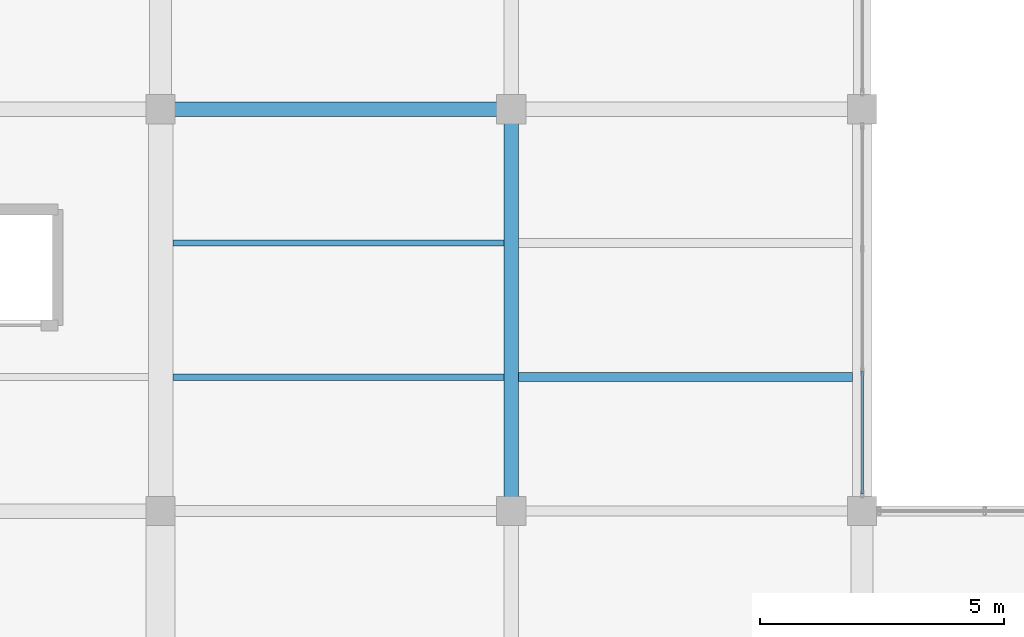
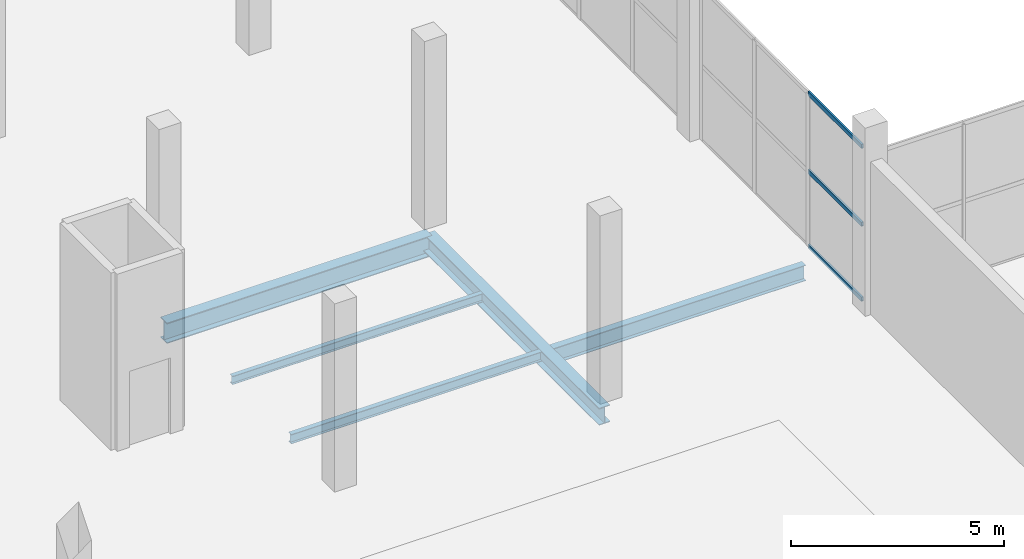
# One storey, part 51 of 141: 5 beams, 3 members, 1 element without a shape of its own.
"""IFC4 building model written with IfcOpenShell, lengths in metres."""

from ifc_helpers import new_model, si_unit, direction, frame, origin, origin_2d, place, context, subcontext, project, spatial, hollow_rectangle, i_section, extrude, material, layer, layer_set, material_profile, profile_set, type_object, element, aggregate, save


model = new_model("IFC4")

# Units and contexts
model_context = context("Model", 3, precision=1e-05, world=origin(), true_north=direction((0.0, 1.0)))
body_context = subcontext(model_context, "Body", "Model", "MODEL_VIEW")
ifc_project = project(units=[si_unit("LENGTHUNIT", "METRE"), si_unit("AREAUNIT", "SQUARE_METRE"), si_unit("VOLUMEUNIT", "CUBIC_METRE"), si_unit("PLANEANGLEUNIT", "RADIAN"), si_unit("MASSUNIT", "GRAM", prefix="KILO")], contexts=[model_context])

# Site, building, storey
site_placement = place(None, origin())
site = spatial("IfcSite", under=ifc_project, at=site_placement, CompositionType="ELEMENT")
building_placement = place(site_placement, origin())
building = spatial("IfcBuilding", under=site, at=building_placement, Name="Sundgate Opera House", CompositionType="ELEMENT")
storey_placement = place(building_placement, frame((0.0, 0.0, 11.39990234375)))
storey = spatial("IfcBuildingStorey", under=building, at=storey_placement, Name="L02", CompositionType="ELEMENT", Elevation=11.39990234375)

# Beams
ifc_material_1 = material(Name="Steel S355J2", Category="steel")
ifc_material_profile_1 = material_profile(ifc_material_1, i_section(OverallWidth=0.300048828125, OverallDepth=0.489990234375, WebThickness=0.011962890625, FlangeThickness=0.02294921875, at=origin_2d()), Name="HEA 500")
ifc_profile_set_1 = profile_set([ifc_material_profile_1], Name="Steel S355J2")
beam_type_1 = type_object("IfcBeamType", Name="BM-GR-HEA500", PredefinedType="BEAM", material=ifc_profile_set_1)
beam_1_placement = place(storey_placement, frame((117.0, 87.0, -0.594970703125), z_axis=(0.0, 1.0, 0.0), x_axis=(-1.0, 0.0, 0.0)))
element("IfcBeam", 1, at=beam_1_placement, inside=storey, type_object=beam_type_1, Name="L02 Primary N-S Girder B1888", PredefinedType="BEAM", context=body_context, shape_type="SweptSolid", body=[
    extrude(i_section(OverallWidth=0.300048828125, OverallDepth=0.489990234375, WebThickness=0.011962890625, FlangeThickness=0.02294921875, at=origin_2d()), origin(), (0.0, 0.0, 1.0), 8.25),
])
ifc_material_2 = material(Name="Steel S355J2", Category="steel")
ifc_material_profile_2 = material_profile(ifc_material_2, i_section(OverallWidth=0.300048828125, OverallDepth=0.590087890625, WebThickness=0.012939453125, FlangeThickness=0.02490234375, at=origin_2d()), Name="HEA 600")
ifc_profile_set_2 = profile_set([ifc_material_profile_2], Name="Steel S355J2")
beam_type_2 = type_object("IfcBeamType", Name="BM-GR-HEA600", PredefinedType="BEAM", material=ifc_profile_set_2)
beam_2_placement = place(storey_placement, frame((109.800048828125, 95.25, -0.64501953125), z_axis=(1.0, 0.0, 0.0), x_axis=(0.0, 1.0, 0.0)))
element("IfcBeam", 2, at=beam_2_placement, inside=storey, type_object=beam_type_2, Name="L02 Primary E-W Girder B2077", PredefinedType="BEAM", context=body_context, shape_type="SweptSolid", body=[
    extrude(i_section(OverallWidth=0.300048828125, OverallDepth=0.590087890625, WebThickness=0.012939453125, FlangeThickness=0.02490234375, at=origin_2d()), origin(), (0.0, 0.0, 1.0), 7.199951171875),
])
ifc_material_3 = material(Name="Steel S355J2", Category="steel")
ifc_material_profile_3 = material_profile(ifc_material_3, i_section(OverallWidth=0.1201171875, OverallDepth=0.239990234375, WebThickness=0.006103515625, FlangeThickness=0.009765625, at=origin_2d()), Name="IPE 240")
ifc_profile_set_3 = profile_set([ifc_material_profile_3], Name="Steel S355J2")
beam_type_3 = type_object("IfcBeamType", Name="BM-JS-IPE240", PredefinedType="JOIST", material=ifc_profile_set_3)
beam_3_placement = place(storey_placement, frame((110.050048828125, 92.5, -0.469970703125), z_axis=(1.0, 0.0, 0.0), x_axis=(0.0, 1.0, 0.0)))
element("IfcBeam", 3, at=beam_3_placement, inside=storey, type_object=beam_type_3, Name="L02 Secondary Floor Joist B2352", PredefinedType="JOIST", context=body_context, shape_type="SweptSolid", body=[
    extrude(i_section(OverallWidth=0.1201171875, OverallDepth=0.239990234375, WebThickness=0.006103515625, FlangeThickness=0.009765625, at=origin_2d()), origin(), (0.0, 0.0, 1.0), 6.800048828125),
])
ifc_material_4 = material(Name="Steel S355J2", Category="steel")
ifc_material_profile_4 = material_profile(ifc_material_4, i_section(OverallWidth=0.135009765625, OverallDepth=0.27001953125, WebThickness=0.006591796875, FlangeThickness=0.01025390625, at=origin_2d()), Name="IPE 270")
ifc_profile_set_4 = profile_set([ifc_material_profile_4], Name="Steel S355J2")
beam_type_4 = type_object("IfcBeamType", Name="BM-JS-IPE270", PredefinedType="JOIST", material=ifc_profile_set_4)
beam_4_placement = place(storey_placement, frame((110.050048828125, 89.75, -0.48486328125), z_axis=(1.0, 0.0, 0.0), x_axis=(0.0, 1.0, 0.0)))
element("IfcBeam", 4, at=beam_4_placement, inside=storey, type_object=beam_type_4, Name="L02 Secondary Floor Joist B2351", PredefinedType="JOIST", context=body_context, shape_type="SweptSolid", body=[
    extrude(i_section(OverallWidth=0.135009765625, OverallDepth=0.27001953125, WebThickness=0.006591796875, FlangeThickness=0.01025390625, at=origin_2d()), origin(), (0.0, 0.0, 1.0), 6.800048828125),
])
ifc_material_5 = material(Name="Steel S355J2", Category="steel")
ifc_material_profile_5 = material_profile(ifc_material_5, i_section(OverallWidth=0.18994140625, OverallDepth=0.449951171875, WebThickness=0.009521484375, FlangeThickness=0.0146484375, at=origin_2d()), Name="IPE 450")
ifc_profile_set_5 = profile_set([ifc_material_profile_5], Name="Steel S355J2")
beam_type_5 = type_object("IfcBeamType", Name="BM-JS-IPE450", PredefinedType="JOIST", material=ifc_profile_set_5)
beam_5_placement = place(storey_placement, frame((117.14990234375, 89.75, -0.574951171875), z_axis=(1.0, 0.0, 0.0), x_axis=(0.0, 1.0, 0.0)))
element("IfcBeam", 5, at=beam_5_placement, inside=storey, type_object=beam_type_5, Name="L02 Secondary Floor Joist B2353", PredefinedType="JOIST", context=body_context, shape_type="SweptSolid", body=[
    extrude(i_section(OverallWidth=0.18994140625, OverallDepth=0.449951171875, WebThickness=0.009521484375, FlangeThickness=0.0146484375, at=origin_2d()), origin(), (0.0, 0.0, 1.0), 6.85009765625),
])

# Curtain wall, members
ifc_material_6 = material(Name="Anodized aluminium and low-iron glass", Category="aluminium")
ifc_layer = layer(ifc_material_6, 0.159912109375)
ifc_layer_set = layer_set([ifc_layer], Name="Anodized aluminium and low-iron glass")
curtain_wall_type = type_object("IfcCurtainWallType", Name="CW-STUDIO-DARK", PredefinedType="NOTDEFINED", material=ifc_layer_set)
curtain_wall_placement = place(storey_placement, origin())
curtain_wall = element("IfcCurtainWall", 6, at=curtain_wall_placement, inside=storey, type_object=curtain_wall_type, Name="L02 Curtain Wall CW116", PredefinedType="NOTDEFINED")
ifc_material_7 = material(Name="Anodized aluminium EN AW-6063", Category="aluminium")
ifc_material_profile_6 = material_profile(ifc_material_7, hollow_rectangle(XDim=0.054931640625, YDim=0.1201171875, WallThickness=0.00390625, at=origin_2d()), Name="CWT 120x55x4")
ifc_profile_set_6 = profile_set([ifc_material_profile_6], Name="Anodized aluminium EN AW-6063")
member_type = type_object("IfcMemberType", Name="CWT-ALU-120x55", PredefinedType="USERDEFINED", material=ifc_profile_set_6)
member_1_placement = place(storey_placement, frame((124.199951171875, 87.35009765625, 0.0), z_axis=(0.0, 1.0, 0.0), x_axis=(-1.0, 0.0, 0.0)))
member_1 = element("IfcMember", 7, at=member_1_placement, type_object=member_type, Name="CW116 Transom 1", ObjectType="TRANSOM", PredefinedType="USERDEFINED", context=body_context, shape_type="SweptSolid", body=[
    extrude(hollow_rectangle(XDim=0.054931640625, YDim=0.1201171875, WallThickness=0.00390625, at=origin_2d()), origin(), (0.0, 0.0, 1.0), 2.5166015625),
])
member_2_placement = place(storey_placement, frame((124.199951171875, 87.35009765625, 2.150146484375), z_axis=(0.0, 1.0, 0.0), x_axis=(-1.0, 0.0, 0.0)))
member_2 = element("IfcMember", 8, at=member_2_placement, type_object=member_type, Name="CW116 Transom 2", ObjectType="TRANSOM", PredefinedType="USERDEFINED", context=body_context, shape_type="SweptSolid", body=[
    extrude(hollow_rectangle(XDim=0.054931640625, YDim=0.1201171875, WallThickness=0.00390625, at=origin_2d()), origin(), (0.0, 0.0, 1.0), 2.5166015625),
])
member_3_placement = place(storey_placement, frame((124.199951171875, 87.35009765625, 4.385009765625), z_axis=(0.0, 1.0, 0.0), x_axis=(-1.0, 0.0, 0.0)))
member_3 = element("IfcMember", 9, at=member_3_placement, type_object=member_type, Name="CW116 Transom 3", ObjectType="TRANSOM", PredefinedType="USERDEFINED", context=body_context, shape_type="SweptSolid", body=[
    extrude(hollow_rectangle(XDim=0.054931640625, YDim=0.1201171875, WallThickness=0.00390625, at=origin_2d()), origin(), (0.0, 0.0, 1.0), 2.5166015625),
])
aggregate(curtain_wall, [member_1, member_2, member_3])

save(model, "model.ifc")
